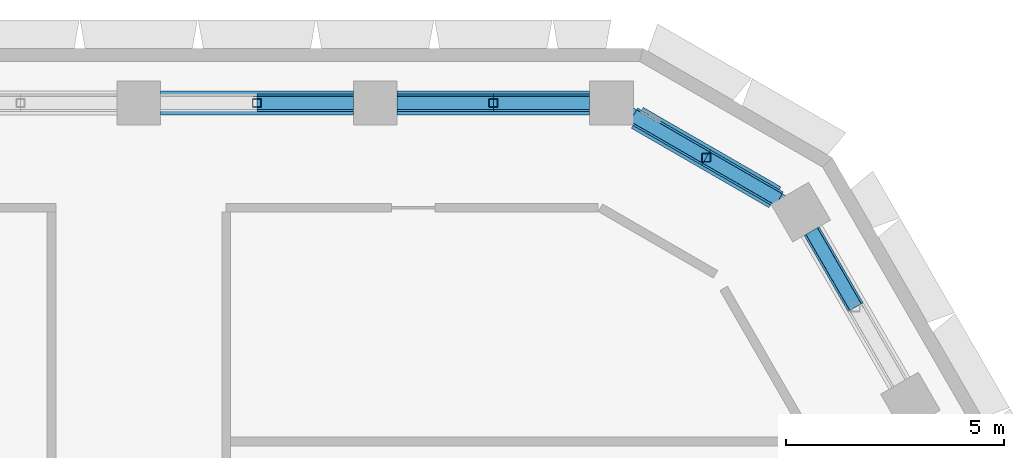
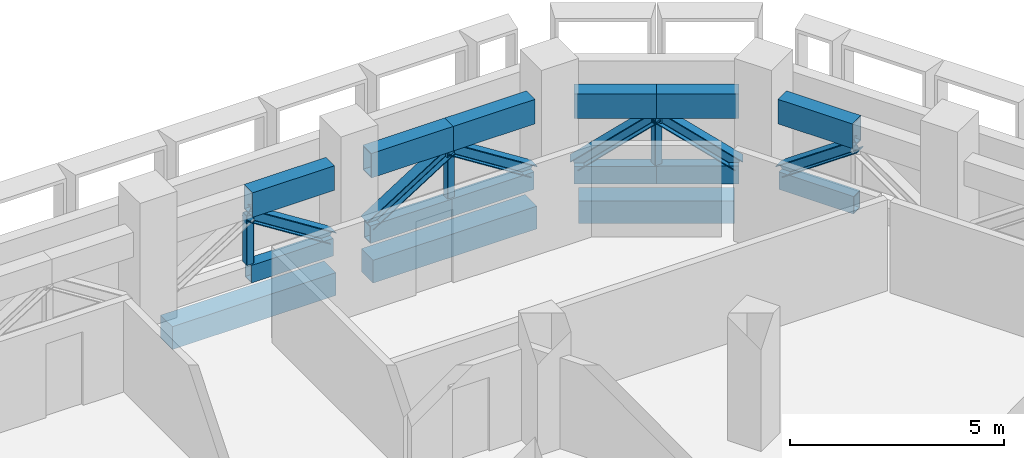
# One storey, part 10 of 23: 21 members, 3 beams.
"""IFC4 building model written with IfcOpenShell, lengths in metres."""

from ifc_helpers import new_model, si_unit, direction, frame, origin, origin_2d, place, context, subcontext, project, spatial, rectangle, hollow_rectangle, i_section, extrude, material, material_profile, profile_set, type_object, element, save


model = new_model("IFC4")

# Units and contexts
model_context = context("Model", 3, precision=1e-05, world=origin(), true_north=direction((0.0, 1.0)))
body_context = subcontext(model_context, "Body", "Model", "MODEL_VIEW")
ifc_project = project(units=[si_unit("LENGTHUNIT", "METRE"), si_unit("AREAUNIT", "SQUARE_METRE"), si_unit("VOLUMEUNIT", "CUBIC_METRE"), si_unit("PLANEANGLEUNIT", "RADIAN"), si_unit("MASSUNIT", "GRAM", prefix="KILO")], contexts=[model_context])

# Site, building, storey
site_placement = place(None, origin())
site = spatial("IfcSite", under=ifc_project, at=site_placement, CompositionType="ELEMENT")
building_placement = place(site_placement, origin())
building = spatial("IfcBuilding", under=site, at=building_placement, Name="Beryl Residences", CompositionType="ELEMENT")
storey_placement = place(building_placement, frame((0.0, 0.0, 108.0)))
storey = spatial("IfcBuildingStorey", under=building, at=storey_placement, Name="L33", CompositionType="ELEMENT", Elevation=108.0)

# Members
ifc_material_1 = material(Name="Steel S355", Category="steel")
ifc_material_profile_1 = material_profile(ifc_material_1, hollow_rectangle(XDim=0.300048828125, YDim=0.5, WallThickness=0.02490234375, at=origin_2d()))
ifc_profile_set_1 = profile_set([ifc_material_profile_1], Name="Steel S355")
member_type_1 = type_object("IfcMemberType", Name="BB2 belt truss bottom chord WB 500x300x25", PredefinedType="CHORD", material=ifc_profile_set_1)
member_1_placement = place(storey_placement, frame((10.324951171875, 25.75, 0.25), z_axis=(-1.0, 0.0, 0.0), x_axis=(0.0, -1.0, 0.0)))
element("IfcMember", 1, at=member_1_placement, inside=storey, type_object=member_type_1, Name="Outrigger truss BB2-N-0a L33", PredefinedType="CHORD", context=body_context, shape_type="SweptSolid", body=[
    extrude(hollow_rectangle(XDim=0.300048828125, YDim=0.5, WallThickness=0.02490234375, at=origin_2d()), origin(), (0.0, 0.0, 1.0), 2.20703125),
])
member_2_placement = place(storey_placement, frame((8.117919921875, 25.75, 0.25), z_axis=(-1.0, 0.0, 0.0), x_axis=(0.0, -1.0, 0.0)))
element("IfcMember", 2, at=member_2_placement, inside=storey, type_object=member_type_1, Name="Outrigger truss BB2-N-0b L33", PredefinedType="CHORD", context=body_context, shape_type="SweptSolid", body=[
    extrude(hollow_rectangle(XDim=0.300048828125, YDim=0.5, WallThickness=0.02490234375, at=origin_2d()), origin(), (0.0, 0.0, 1.0), 2.205810546875),
])
member_3_placement = place(storey_placement, frame((4.912109375, 25.75, 0.25), z_axis=(-1.0, 0.0, 0.0), x_axis=(0.0, -1.0, 0.0)))
element("IfcMember", 3, at=member_3_placement, inside=storey, type_object=member_type_1, Name="Outrigger truss BB2-N-1a L33", PredefinedType="CHORD", context=body_context, shape_type="SweptSolid", body=[
    extrude(hollow_rectangle(XDim=0.300048828125, YDim=0.5, WallThickness=0.02490234375, at=origin_2d()), origin(), (0.0, 0.0, 1.0), 2.20703125),
])
member_4_placement = place(storey_placement, frame((16.412109375, 21.074951171875, 0.25), z_axis=(-0.500146161777, 0.865941000796, 0.0), x_axis=(-0.865941000796, -0.500146161777, 0.0)))
element("IfcMember", 4, at=member_4_placement, inside=storey, type_object=member_type_1, Name="Outrigger truss BB2-NE-4b L33", PredefinedType="CHORD", context=body_context, shape_type="SweptSolid", body=[
    extrude(hollow_rectangle(XDim=0.300048828125, YDim=0.5, WallThickness=0.02490234375, at=origin_2d()), origin(), (0.0, 0.0, 1.0), 2.01171875),
])
member_5_placement = place(storey_placement, frame((14.656005859375, 23.5390625, 0.25), z_axis=(-0.866109463258, 0.499854376449, 0.0), x_axis=(-0.499854376449, -0.866109463258, 0.0)))
element("IfcMember", 5, at=member_5_placement, inside=storey, type_object=member_type_1, Name="Outrigger truss BB2-NE-5a L33", PredefinedType="CHORD", context=body_context, shape_type="SweptSolid", body=[
    extrude(hollow_rectangle(XDim=0.300048828125, YDim=0.5, WallThickness=0.02490234375, at=origin_2d()), origin(), (0.0, 0.0, 1.0), 1.92236328125),
])
member_6_placement = place(storey_placement, frame((12.990966796875, 24.5, 0.25), z_axis=(-0.8662363011, 0.499634537094, 0.0), x_axis=(-0.499634537094, -0.8662363011, 0.0)))
element("IfcMember", 6, at=member_6_placement, inside=storey, type_object=member_type_1, Name="Outrigger truss BB2-NE-5b L33", PredefinedType="CHORD", context=body_context, shape_type="SweptSolid", body=[
    extrude(hollow_rectangle(XDim=0.300048828125, YDim=0.5, WallThickness=0.02490234375, at=origin_2d()), origin(), (0.0, 0.0, 1.0), 1.92333984375),
])
ifc_material_2 = material(Name="Steel S355", Category="steel")
ifc_material_profile_2 = material_profile(ifc_material_2, i_section(OverallWidth=0.30908203125, OverallDepth=0.320068359375, WebThickness=0.013916015625, FlangeThickness=0.021728515625, FilletRadius=0.0166015625, at=origin_2d()))
ifc_profile_set_2 = profile_set([ifc_material_profile_2], Name="Steel S355")
member_type_2 = type_object("IfcMemberType", Name="BD2 belt truss diagonal 310UC137", PredefinedType="BRACE", material=ifc_profile_set_2)
member_7_placement = place(storey_placement, frame((10.324951171875, 25.75, 0.5), z_axis=(-0.844452930378, 0.0, 0.535629768008), x_axis=(0.0, -1.0, 0.0)))
element("IfcMember", 7, at=member_7_placement, inside=storey, type_object=member_type_2, Name="Outrigger truss BD2-N-0a L33", PredefinedType="BRACE", context=body_context, shape_type="SweptSolid", body=[
    extrude(i_section(OverallWidth=0.30908203125, OverallDepth=0.320068359375, WebThickness=0.013916015625, FlangeThickness=0.021728515625, FilletRadius=0.0166015625, at=origin_2d()), origin(), (0.0, 0.0, 1.0), 2.613525390625),
])
member_8_placement = place(storey_placement, frame((5.912109375, 25.75, 0.5), z_axis=(0.844318850559, 0.0, 0.535841094533), x_axis=(0.0, 1.0, 0.0)))
element("IfcMember", 8, at=member_8_placement, inside=storey, type_object=member_type_2, Name="Outrigger truss BD2-N-0b L33", PredefinedType="BRACE", context=body_context, shape_type="SweptSolid", body=[
    extrude(i_section(OverallWidth=0.30908203125, OverallDepth=0.320068359375, WebThickness=0.013916015625, FlangeThickness=0.021728515625, FilletRadius=0.0166015625, at=origin_2d()), origin(), (0.0, 0.0, 1.0), 2.612548828125),
])
member_9_placement = place(storey_placement, frame((4.912109375, 25.75, 0.5), z_axis=(-0.844452930378, 0.0, 0.535629768008), x_axis=(0.0, -1.0, 0.0)))
element("IfcMember", 9, at=member_9_placement, inside=storey, type_object=member_type_2, Name="Outrigger truss BD2-N-1a L33", PredefinedType="BRACE", context=body_context, shape_type="SweptSolid", body=[
    extrude(i_section(OverallWidth=0.30908203125, OverallDepth=0.320068359375, WebThickness=0.013916015625, FlangeThickness=0.021728515625, FilletRadius=0.0166015625, at=origin_2d()), origin(), (0.0, 0.0, 1.0), 2.613525390625),
])
member_10_placement = place(storey_placement, frame((15.406005859375, 22.81689453125, 0.5), z_axis=(0.41052328909, -0.710770120761, 0.571206148906), x_axis=(0.865941000796, 0.500146161777, 0.0)))
element("IfcMember", 10, at=member_10_placement, inside=storey, type_object=member_type_2, Name="Outrigger truss BD2-NE-4b L33", PredefinedType="BRACE", context=body_context, shape_type="SweptSolid", body=[
    extrude(i_section(OverallWidth=0.30908203125, OverallDepth=0.320068359375, WebThickness=0.013916015625, FlangeThickness=0.021728515625, FilletRadius=0.0166015625, at=origin_2d()), origin(), (0.0, 0.0, 1.0), 2.45068359375),
])
member_11_placement = place(storey_placement, frame((14.656005859375, 23.5390625, 0.5), z_axis=(-0.700147583274, 0.404073443954, 0.588657806817), x_axis=(-0.499854376449, -0.866109463258, 0.0)))
element("IfcMember", 11, at=member_11_placement, inside=storey, type_object=member_type_2, Name="Outrigger truss BD2-NE-5a L33", PredefinedType="BRACE", context=body_context, shape_type="SweptSolid", body=[
    extrude(i_section(OverallWidth=0.30908203125, OverallDepth=0.320068359375, WebThickness=0.013916015625, FlangeThickness=0.021728515625, FilletRadius=0.0166015625, at=origin_2d()), origin(), (0.0, 0.0, 1.0), 2.378173828125),
])
member_12_placement = place(storey_placement, frame((11.324951171875, 25.4609375, 0.5), z_axis=(0.700356836471, -0.403957284342, 0.588488584456), x_axis=(0.499634537094, 0.8662363011, 0.0)))
element("IfcMember", 12, at=member_12_placement, inside=storey, type_object=member_type_2, Name="Outrigger truss BD2-NE-5b L33", PredefinedType="BRACE", context=body_context, shape_type="SweptSolid", body=[
    extrude(i_section(OverallWidth=0.30908203125, OverallDepth=0.320068359375, WebThickness=0.013916015625, FlangeThickness=0.021728515625, FilletRadius=0.0166015625, at=origin_2d()), origin(), (0.0, 0.0, 1.0), 2.37890625),
])
ifc_material_3 = material(Name="Steel S355", Category="steel")
ifc_material_profile_3 = material_profile(ifc_material_3, hollow_rectangle(XDim=0.199951171875, YDim=0.199951171875, WallThickness=0.009033203125, InnerFilletRadius=0.009033203125, OuterFilletRadius=0.01806640625, at=origin_2d()))
ifc_profile_set_3 = profile_set([ifc_material_profile_3], Name="Steel S355")
member_type_3 = type_object("IfcMemberType", Name="BQ2 belt truss post SHS 200x200x9", PredefinedType="POST", material=ifc_profile_set_3)
for number, where, z_axis, x_axis, name in (
    (13, (8.117919921875, 25.75, 0.5), (0.0, 0.0, 1.0), (1.0, 0.0, 0.0), "Outrigger truss BQ2-N-0 L33"),
    (14, (2.705078125, 25.75, 0.5), (0.0, 0.0, 1.0), (1.0, 0.0, 0.0), "Outrigger truss BQ2-N-1 L33"),
    (15, (12.990966796875, 24.5, 0.5), (0.0, 0.0, 1.0), (1.0, 0.0, 0.0), "Outrigger truss BQ2-NE-5 L33"),
):
    element("IfcMember", number, at=place(storey_placement, frame(where, z_axis=z_axis, x_axis=x_axis)), inside=storey, type_object=member_type_3, Name=name, PredefinedType="POST", context=body_context, shape_type="SweptSolid", body=[
        extrude(hollow_rectangle(XDim=0.199951171875, YDim=0.199951171875, WallThickness=0.009033203125, InnerFilletRadius=0.009033203125, OuterFilletRadius=0.01806640625, at=origin_2d()), origin(), (0.0, 0.0, 1.0), 1.39990234375),
    ])
ifc_material_4 = material(Name="Steel S355", Category="steel")
ifc_material_profile_4 = material_profile(ifc_material_4, hollow_rectangle(XDim=0.39990234375, YDim=0.699951171875, WallThickness=0.030029296875, at=origin_2d()))
ifc_profile_set_4 = profile_set([ifc_material_profile_4], Name="Steel S355")
member_type_4 = type_object("IfcMemberType", Name="BT2 belt truss top chord WB 700x400x30", PredefinedType="CHORD", material=ifc_profile_set_4)
member_13_placement = place(storey_placement, frame((10.324951171875, 25.75, 2.25), z_axis=(-1.0, 0.0, 0.0), x_axis=(0.0, -1.0, 0.0)))
element("IfcMember", 16, at=member_13_placement, inside=storey, type_object=member_type_4, Name="Outrigger truss BT2-N-0a L33", PredefinedType="CHORD", context=body_context, shape_type="SweptSolid", body=[
    extrude(hollow_rectangle(XDim=0.39990234375, YDim=0.699951171875, WallThickness=0.030029296875, at=origin_2d()), origin(), (0.0, 0.0, 1.0), 2.20703125),
])
member_14_placement = place(storey_placement, frame((8.117919921875, 25.75, 2.25), z_axis=(-1.0, 0.0, 0.0), x_axis=(0.0, -1.0, 0.0)))
element("IfcMember", 17, at=member_14_placement, inside=storey, type_object=member_type_4, Name="Outrigger truss BT2-N-0b L33", PredefinedType="CHORD", context=body_context, shape_type="SweptSolid", body=[
    extrude(hollow_rectangle(XDim=0.39990234375, YDim=0.699951171875, WallThickness=0.030029296875, at=origin_2d()), origin(), (0.0, 0.0, 1.0), 2.205810546875),
])
member_15_placement = place(storey_placement, frame((4.912109375, 25.75, 2.25), z_axis=(-1.0, 0.0, 0.0), x_axis=(0.0, -1.0, 0.0)))
element("IfcMember", 18, at=member_15_placement, inside=storey, type_object=member_type_4, Name="Outrigger truss BT2-N-1a L33", PredefinedType="CHORD", context=body_context, shape_type="SweptSolid", body=[
    extrude(hollow_rectangle(XDim=0.39990234375, YDim=0.699951171875, WallThickness=0.030029296875, at=origin_2d()), origin(), (0.0, 0.0, 1.0), 2.20703125),
])
member_16_placement = place(storey_placement, frame((16.412109375, 21.074951171875, 2.25), z_axis=(-0.500146161777, 0.865941000796, 0.0), x_axis=(-0.865941000796, -0.500146161777, 0.0)))
element("IfcMember", 19, at=member_16_placement, inside=storey, type_object=member_type_4, Name="Outrigger truss BT2-NE-4b L33", PredefinedType="CHORD", context=body_context, shape_type="SweptSolid", body=[
    extrude(hollow_rectangle(XDim=0.39990234375, YDim=0.699951171875, WallThickness=0.030029296875, at=origin_2d()), origin(), (0.0, 0.0, 1.0), 2.01171875),
])
member_17_placement = place(storey_placement, frame((14.656005859375, 23.5390625, 2.25), z_axis=(-0.866109463258, 0.499854376449, 0.0), x_axis=(-0.499854376449, -0.866109463258, 0.0)))
element("IfcMember", 20, at=member_17_placement, inside=storey, type_object=member_type_4, Name="Outrigger truss BT2-NE-5a L33", PredefinedType="CHORD", context=body_context, shape_type="SweptSolid", body=[
    extrude(hollow_rectangle(XDim=0.39990234375, YDim=0.699951171875, WallThickness=0.030029296875, at=origin_2d()), origin(), (0.0, 0.0, 1.0), 1.92236328125),
])
member_18_placement = place(storey_placement, frame((12.990966796875, 24.5, 2.25), z_axis=(-0.8662363011, 0.499634537094, 0.0), x_axis=(-0.499634537094, -0.8662363011, 0.0)))
element("IfcMember", 21, at=member_18_placement, inside=storey, type_object=member_type_4, Name="Outrigger truss BT2-NE-5b L33", PredefinedType="CHORD", context=body_context, shape_type="SweptSolid", body=[
    extrude(hollow_rectangle(XDim=0.39990234375, YDim=0.699951171875, WallThickness=0.030029296875, at=origin_2d()), origin(), (0.0, 0.0, 1.0), 1.92333984375),
])

# Beams
ifc_material_5 = material(Name="Concrete C70/85", Category="concrete")
ifc_material_profile_5 = material_profile(ifc_material_5, rectangle(XDim=0.550048828125, YDim=0.64990234375, at=origin_2d()))
ifc_profile_set_5 = profile_set([ifc_material_profile_5], Name="Concrete C70/85")
beam_type = type_object("IfcBeamType", Name="SB2 spandrel beam 550 x 650 C70/85", PredefinedType="SPANDREL", material=ifc_profile_set_5)
beam_1_placement = place(storey_placement, frame((10.324951171875, 25.75, -0.72509765625), z_axis=(-1.0, 0.0, 0.0), x_axis=(0.0, -1.0, 0.0)))
element("IfcBeam", 22, at=beam_1_placement, inside=storey, type_object=beam_type, Name="SB2 L33 N-0", PredefinedType="SPANDREL", context=body_context, shape_type="SweptSolid", body=[
    extrude(rectangle(XDim=0.550048828125, YDim=0.64990234375, at=origin_2d()), origin(), (0.0, 0.0, 1.0), 4.412841796875),
])
beam_2_placement = place(storey_placement, frame((4.912109375, 25.75, -0.72509765625), z_axis=(-1.0, 0.0, 0.0), x_axis=(0.0, -1.0, 0.0)))
element("IfcBeam", 23, at=beam_2_placement, inside=storey, type_object=beam_type, Name="SB2 L33 N-1", PredefinedType="SPANDREL", context=body_context, shape_type="SweptSolid", body=[
    extrude(rectangle(XDim=0.550048828125, YDim=0.64990234375, at=origin_2d()), origin(), (0.0, 0.0, 1.0), 4.4130859375),
])
beam_3_placement = place(storey_placement, frame((14.56494140625, 23.591064453125, -0.72509765625), z_axis=(-0.866044702259, 0.499966572571, 0.0), x_axis=(-0.499966572571, -0.866044702259, 0.0)))
element("IfcBeam", 24, at=beam_3_placement, inside=storey, type_object=beam_type, Name="SB2 L33 NE-5", PredefinedType="SPANDREL", context=body_context, shape_type="SweptSolid", body=[
    extrude(rectangle(XDim=0.550048828125, YDim=0.64990234375, at=origin_2d()), origin(), (0.0, 0.0, 1.0), 3.635986328125),
])

save(model, "model.ifc")
